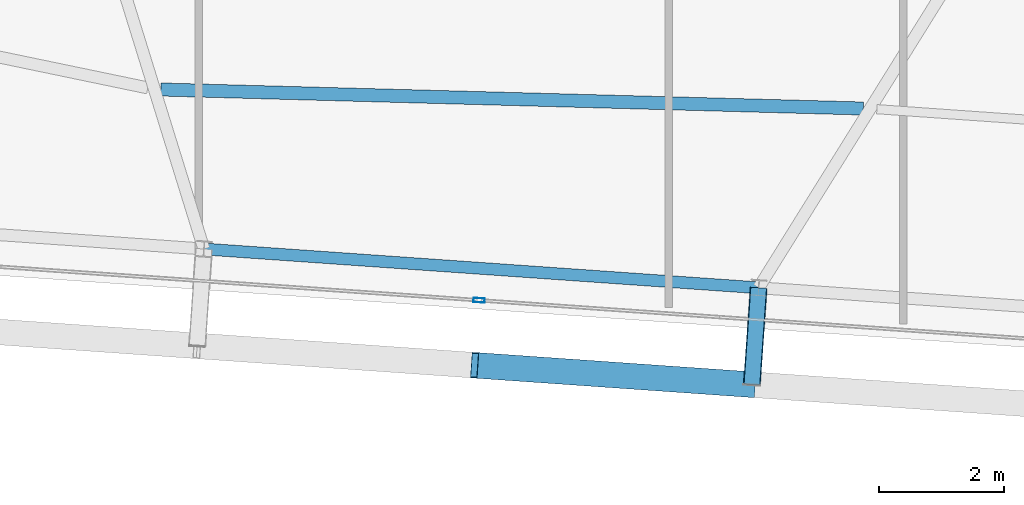
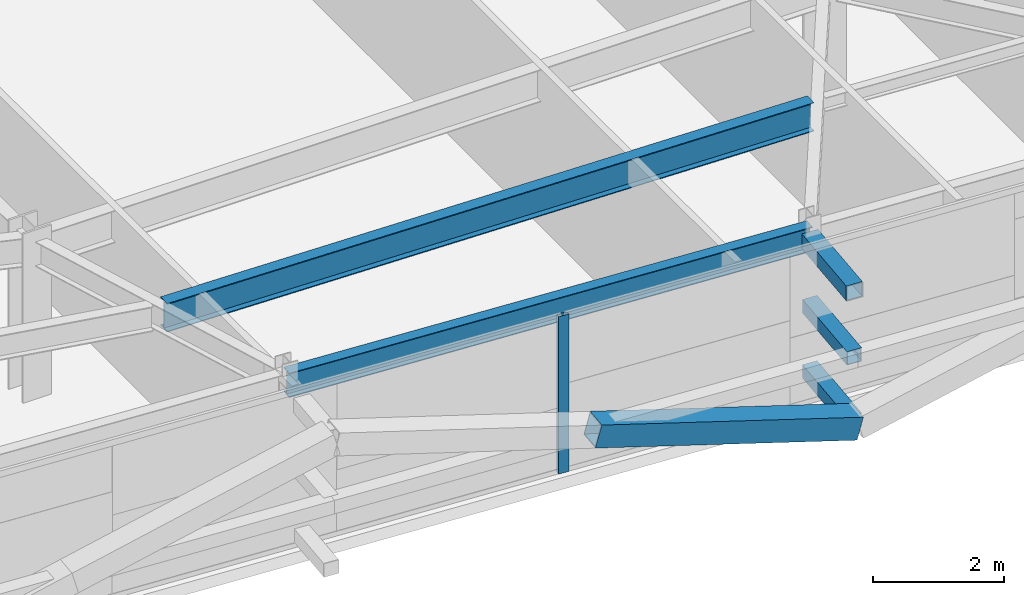
# One storey, part 9 of 39: 5 members, 2 beams, 1 element without a shape of its own.
"""IFC4 building model written with IfcOpenShell, lengths in metres."""

from ifc_helpers import new_model, si_unit, direction, frame, origin, origin_2d, place, context, subcontext, project, spatial, hollow_rectangle, i_section, extrude, source, transform, mapped, material, layer, layer_set, material_profile, profile_set, type_object, element, aggregate, save


model = new_model("IFC4")

# Units and contexts
model_context = context("Model", 3, precision=1e-05, world=origin(), true_north=direction((0.0, 1.0)))
body_context = subcontext(model_context, "Body", "Model", "MODEL_VIEW")
ifc_project = project(units=[si_unit("LENGTHUNIT", "METRE"), si_unit("AREAUNIT", "SQUARE_METRE"), si_unit("VOLUMEUNIT", "CUBIC_METRE"), si_unit("PLANEANGLEUNIT", "RADIAN"), si_unit("MASSUNIT", "GRAM", prefix="KILO")], contexts=[model_context])

# Site, building, storey
site_placement = place(None, origin())
site = spatial("IfcSite", under=ifc_project, at=site_placement, CompositionType="ELEMENT")
building_placement = place(site_placement, origin())
building = spatial("IfcBuilding", under=site, at=building_placement, Name="Taldren Reach Tower", CompositionType="ELEMENT")
storey_placement = place(building_placement, frame((0.0, 0.0, 136.14990234375)))
storey = spatial("IfcBuildingStorey", under=building, at=storey_placement, Name="L41", CompositionType="ELEMENT", Elevation=136.14990234375)

# Members
ifc_material_1 = material(Name="Steel Gr 450 (C450L0)", Category="steel")
ifc_material_profile_1 = material_profile(ifc_material_1, hollow_rectangle(XDim=0.27490234375, YDim=0.27490234375, WallThickness=0.00927734375, at=origin_2d()), Name="275x275x9.3SHS")
ifc_profile_set_1 = profile_set([ifc_material_profile_1], Name="Steel Gr 450 (C450L0)")
member_type_1 = type_object("IfcMemberType", Name="MB-TIE273", PredefinedType="STRUT", material=ifc_profile_set_1)
shared_shape_1 = source(origin(), body_context, "Body", "SweptSolid", [
    extrude(hollow_rectangle(XDim=0.27490234375, YDim=0.27490234375, WallThickness=0.00927734375, at=origin_2d()), origin(), (0.0, 0.0, 1.0), 1.550048828125),
])
member_1_placement = place(storey_placement, frame((38.438720703125, 3.480224609375, 2.650146484375), z_axis=(-0.06976957191, -0.99756313426, 0.0), x_axis=(0.99756313426, -0.06976957191, 0.0)))
element("IfcMember", 1, at=member_1_placement, inside=storey, type_object=member_type_1, Name="Exoskeleton diaphragm tie strut B3-S4 L41", PredefinedType="STRUT", context=body_context, shape_type="MappedRepresentation", body=[
    mapped(shared_shape_1, transform((0.0, 0.0, 0.0), scale=1.0)),
])
ifc_material_2 = material(Name="Steel Gr 350 (C350L0)", Category="steel")
ifc_material_profile_2 = material_profile(ifc_material_2, hollow_rectangle(XDim=0.25, YDim=0.25, WallThickness=0.010009765625, at=origin_2d()), Name="250x250x10.0SHS")
ifc_profile_set_2 = profile_set([ifc_material_profile_2], Name="Steel Gr 350 (C350L0)")
member_type_2 = type_object("IfcMemberType", Name="MB-POST250", PredefinedType="POST", material=ifc_profile_set_2)
shared_shape_2 = source(origin(), body_context, "Body", "SweptSolid", [
    extrude(hollow_rectangle(XDim=0.25, YDim=0.25, WallThickness=0.010009765625, at=origin_2d()), origin(), (0.0, 0.0, 1.0), 1.550048828125),
])
for number, where, z_axis, x_axis, name in (
    (2, (38.438720703125, 3.480224609375, 0.22021484375), (-0.06976957191, -0.99756313426, 0.0), (0.99756313426, -0.06976957191, 0.0), "Exoskeleton base diaphragm tie strut B3-S4 L41"),
    (3, (38.438720703125, 3.480224609375, 1.43505859375), (-0.06976957191, -0.99756313426, 0.0), (0.99756313426, -0.06976957191, 0.0), "Exoskeleton mid-tier diaphragm tie B3-S4 L41"),
):
    element("IfcMember", number, at=place(storey_placement, frame(where, z_axis=z_axis, x_axis=x_axis)), inside=storey, type_object=member_type_2, Name=name, PredefinedType="POST", context=body_context, shape_type="MappedRepresentation", body=[
        mapped(shared_shape_2, transform((0.0, 0.0, 0.0), scale=1.0)),
    ])

# Beams
ifc_material_3 = material(Name="Steel Gr 350 (350PLUS)", Category="steel")
ifc_material_profile_3 = material_profile(ifc_material_3, i_section(OverallWidth=0.18994140625, OverallDepth=0.4541015625, WebThickness=0.008544921875, FlangeThickness=0.0126953125, at=origin_2d()), Name="460UB67.1")
ifc_profile_set_3 = profile_set([ifc_material_profile_3], Name="Steel Gr 350 (350PLUS)")
beam_type_1 = type_object("IfcBeamType", Name="SP-UB460B", PredefinedType="SPANDREL", material=ifc_profile_set_3)
shared_shape_3 = source(origin(), body_context, "Body", "SweptSolid", [
    extrude(i_section(OverallWidth=0.18994140625, OverallDepth=0.4541015625, WebThickness=0.008544921875, FlangeThickness=0.0126953125, at=origin_2d()), origin(), (0.0, 0.0, 1.0), 8.880126953125),
])
beam_1_placement = place(storey_placement, frame((29.580322265625, 4.099609375, 2.703125), z_axis=(0.997564479639, -0.069750333063, 0.0), x_axis=(0.069750333063, 0.997564479639, 0.0)))
element("IfcBeam", 4, at=beam_1_placement, inside=storey, type_object=beam_type_1, Name="Perimeter spandrel B3 S3-S4 L41", PredefinedType="SPANDREL", context=body_context, shape_type="MappedRepresentation", body=[
    mapped(shared_shape_3, transform((0.0, 0.0, 0.0), scale=1.0)),
])
ifc_material_profile_4 = material_profile(ifc_material_3, i_section(OverallWidth=0.208984375, OverallDepth=0.532958984375, WebThickness=0.01025390625, FlangeThickness=0.015625, at=origin_2d()), Name="530UB92.4")
ifc_profile_set_4 = profile_set([ifc_material_profile_4], Name="Steel Gr 350 (350PLUS)")
beam_type_2 = type_object("IfcBeamType", Name="BM-UB530A", PredefinedType="BEAM", material=ifc_profile_set_4)
shared_shape_4 = source(origin(), body_context, "Body", "SweptSolid", [
    extrude(i_section(OverallWidth=0.208984375, OverallDepth=0.532958984375, WebThickness=0.01025390625, FlangeThickness=0.015625, at=origin_2d()), origin(), (0.0, 0.0, 1.0), 11.221923828125),
])
beam_2_placement = place(storey_placement, frame((28.890869140625, 6.64697265625, 2.66357421875), z_axis=(0.999633109536, -0.027085906272, 0.0), x_axis=(0.027085906272, 0.999633109536, 0.0)))
element("IfcBeam", 5, at=beam_2_placement, inside=storey, type_object=beam_type_2, Name="Secondary floor beam B3 J3 L41", PredefinedType="BEAM", context=body_context, shape_type="MappedRepresentation", body=[
    mapped(shared_shape_4, transform((0.0, 0.0, 0.0), scale=1.0)),
])

# Member
ifc_material_profile_5 = material_profile(ifc_material_1, hollow_rectangle(XDim=0.409912109375, YDim=0.409912109375, WallThickness=0.01611328125, at=origin_2d()), Name="410x410x16.0SHS")
ifc_profile_set_5 = profile_set([ifc_material_profile_5], Name="Steel Gr 450 (C450L0)")
member_type_3 = type_object("IfcMemberType", Name="MB-EXO406", PredefinedType="BRACE", material=ifc_profile_set_5)
shared_shape_5 = source(origin(), body_context, "Body", "SweptSolid", [
    extrude(hollow_rectangle(XDim=0.409912109375, YDim=0.409912109375, WallThickness=0.01611328125, at=origin_2d()), origin(), (0.0, 0.0, 1.0), 4.603271484375),
])
member_2_placement = place(storey_placement, frame((38.33056640625, 1.933837890625, 0.22021484375), z_axis=(-0.962195820062, 0.067303852699, 0.263911718699), x_axis=(-0.06977769246, -0.997562566276, 0.0)))
element("IfcMember", 6, at=member_2_placement, inside=storey, type_object=member_type_3, Name="Exoskeleton Diagrid Brace B3-S3 L41", PredefinedType="BRACE", context=body_context, shape_type="MappedRepresentation", body=[
    mapped(shared_shape_5, transform((0.0, 0.0, 0.0), scale=1.0)),
])

# Curtain wall, member
ifc_material_4 = material(Name="Aluminium and Low-E Glass Unitised System", Category="aluminium")
ifc_layer = layer(ifc_material_4, 0.159912109375)
ifc_layer_set = layer_set([ifc_layer], Name="Aluminium and Low-E Glass Unitised System")
curtain_wall_type = type_object("IfcCurtainWallType", Name="CW-SYS-4", PredefinedType="NOTDEFINED", material=ifc_layer_set)
curtain_wall_placement = place(storey_placement, origin())
curtain_wall = element("IfcCurtainWall", 7, at=curtain_wall_placement, inside=storey, type_object=curtain_wall_type, Name="Unitised curtain wall CW-L41-S", PredefinedType="NOTDEFINED")
ifc_material_5 = material(Name="Anodised Aluminium 6063-T6", Category="aluminium")
ifc_material_profile_6 = material_profile(ifc_material_5, hollow_rectangle(XDim=0.070068359375, YDim=0.179931640625, WallThickness=0.00390625, at=origin_2d()), Name="ALU-180x70x4RHS")
ifc_profile_set_6 = profile_set([ifc_material_profile_6], Name="Anodised Aluminium 6063-T6")
member_type_4 = type_object("IfcMemberType", Name="CW-MUL-180", PredefinedType="MULLION", material=ifc_profile_set_6)
shared_shape_6 = source(origin(), body_context, "Body", "SweptSolid", [
    extrude(hollow_rectangle(XDim=0.070068359375, YDim=0.179931640625, WallThickness=0.00390625, at=origin_2d()), origin(), (0.0, 0.0, 1.0), 2.93017578125),
])
member_3_placement = place(storey_placement, frame((33.973876953125, 3.281005859375, 0.0), z_axis=(0.0, 0.0, 1.0), x_axis=(0.06975651593, 0.99756404731, 0.0)))
member_3 = element("IfcMember", 8, at=member_3_placement, type_object=member_type_4, Name="CW-4 mullion 3", PredefinedType="MULLION", context=body_context, shape_type="MappedRepresentation", body=[
    mapped(shared_shape_6, transform((0.0, 0.0, 0.0), scale=1.0)),
])
aggregate(curtain_wall, [member_3])

save(model, "model.ifc")
